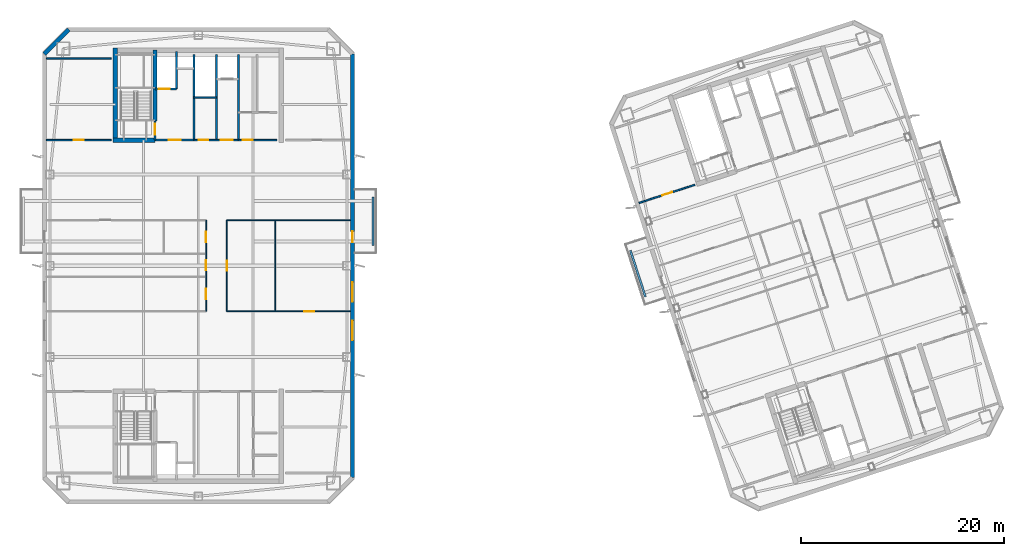
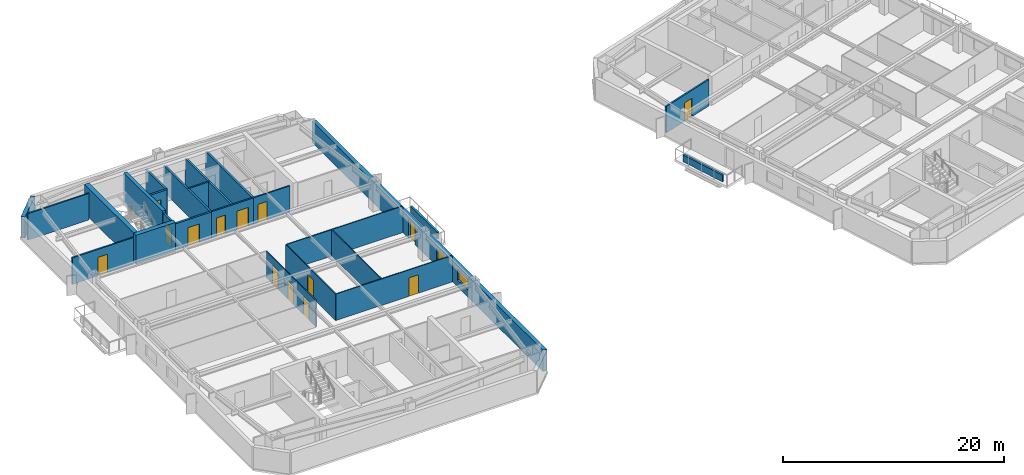
# One storey, part 6 of 17: 25 walls, 14 doors, 2 windows, 16 openings.
"""IFC4 building model written with IfcOpenShell, lengths in metres."""

from ifc_helpers import new_model, si_unit, direction, frame, frame_2d, origin, place, context, subcontext, project, spatial, rectangle, extrude, material, layer, layer_set, type_object, element, fill, save


model = new_model("IFC4")

# Units and contexts
model_context = context("Model", 3, precision=1e-05, world=origin(), true_north=direction((0.0, 1.0)))
body_context = subcontext(model_context, "Body", "Model", "MODEL_VIEW")
ifc_project = project(units=[si_unit("LENGTHUNIT", "METRE"), si_unit("AREAUNIT", "SQUARE_METRE"), si_unit("VOLUMEUNIT", "CUBIC_METRE"), si_unit("PLANEANGLEUNIT", "RADIAN"), si_unit("MASSUNIT", "GRAM", prefix="KILO")], contexts=[model_context])

# Site, building, storey
site_placement = place(None, origin())
site = spatial("IfcSite", under=ifc_project, at=site_placement, CompositionType="ELEMENT")
building_placement = place(site_placement, origin())
building = spatial("IfcBuilding", under=site, at=building_placement, Name="Qiaolan Cultural Towers", CompositionType="ELEMENT")
storey_placement = place(building_placement, frame((0.0, 0.0, 247.199951171875)))
storey = spatial("IfcBuildingStorey", under=building, at=storey_placement, Name="L67", CompositionType="ELEMENT", Elevation=247.199951171875)

# Walls
ifc_material_1 = material(Name="Concrete C50", Category="concrete")
ifc_layer_1 = layer(ifc_material_1, 0.35009765625)
ifc_layer_set_1 = layer_set([ifc_layer_1], Name="Concrete C50")
wall_type_1 = type_object("IfcWallType", Name="WL-CORE-350", PredefinedType="SHEAR", material=ifc_layer_set_1)
wall_1_placement = place(storey_placement, frame((25.719970703125, 48.300048828125, 0.0), z_axis=(0.0, 0.0, 1.0), x_axis=(0.0, 1.0, 0.0)))
element("IfcWall", 1, at=wall_1_placement, inside=storey, type_object=wall_type_1, Name="L67 T1-CN Stair Core Dividing Web", PredefinedType="SHEAR", context=body_context, shape_type="SweptSolid", body=[
    extrude(rectangle(XDim=6.97998046875, YDim=0.35009765625, at=frame_2d((3.489990234375, 0.0))), origin(), (0.0, 0.0, 1.0), 3.199951171875),
])
ifc_material_2 = material(Name="Concrete C50", Category="concrete")
ifc_layer_2 = layer(ifc_material_2, 0.449951171875)
ifc_layer_set_2 = layer_set([ifc_layer_2], Name="Concrete C50")
wall_type_2 = type_object("IfcWallType", Name="WL-CORE-450", PredefinedType="SHEAR", material=ifc_layer_set_2)
wall_2_placement = place(storey_placement, frame((21.800048828125, 46.175048828125, 0.0), z_axis=(0.0, 0.0, 1.0), x_axis=(0.0, 1.0, 0.0)))
element("IfcWall", 2, at=wall_2_placement, inside=storey, type_object=wall_type_2, Name="L67 T1-CN West Core Shear Wall", PredefinedType="SHEAR", context=body_context, shape_type="SweptSolid", body=[
    extrude(rectangle(XDim=9.329833984375, YDim=0.449951171875, at=frame_2d((4.6650390625, 0.0))), origin(), (0.0, 0.0, 1.0), 3.199951171875),
])
wall_3_placement = place(storey_placement, frame((21.574951171875, 46.39990234375, 0.0), z_axis=(0.0, 0.0, 1.0), x_axis=(1.0, 0.0, 0.0)))
element("IfcWall", 3, at=wall_3_placement, inside=storey, type_object=wall_type_2, Name="L67 T1-CN Stair Front Shear Wall", PredefinedType="SHEAR", context=body_context, shape_type="SweptSolid", body=[
    extrude(rectangle(XDim=4.14501953125, YDim=0.449951171875, at=frame_2d((2.072509765625, 0.0))), origin(), (0.0, 0.0, 1.0), 3.199951171875),
])
ifc_material_3 = material(Name="Precast Concrete C50 Honed Stone Pier", Category="masonry")
ifc_layer_3 = layer(ifc_material_3, 0.39990234375)
ifc_layer_set_3 = layer_set([ifc_layer_3], Name="Precast Concrete C50 Honed Stone Pier")
wall_type_3 = type_object("IfcWallType", Name="WL-EXT-PIER-400", PredefinedType="SOLIDWALL", material=ifc_layer_set_3)
wall_4_placement = place(storey_placement, frame((14.800048828125, 54.89990234375, 0.0), z_axis=(0.0, 0.0, 1.0), x_axis=(0.707070815327, 0.707142745217, 0.0)))
element("IfcWall", 4, at=wall_4_placement, inside=storey, type_object=wall_type_3, Name="L67 West Tower Precast Pier Facade Wall F2", PredefinedType="SOLIDWALL", context=body_context, shape_type="SweptSolid", body=[
    extrude(rectangle(XDim=3.39404296875, YDim=0.39990234375, at=frame_2d((1.697021484375, 0.0))), origin(), (0.0, 0.0, 1.0), 2.360107421875),
])

# Wall, openings, door, windows
wall_5_placement = place(storey_placement, frame((45.199951171875, 54.89990234375, 0.0), z_axis=(0.0, 0.0, 1.0), x_axis=(0.0, -1.0, 0.0)))
wall_5 = element("IfcWall", 5, at=wall_5_placement, inside=storey, type_object=wall_type_3, Name="L67 West Tower Precast Pier Facade Wall F5", PredefinedType="SOLIDWALL", context=body_context, shape_type="SweptSolid", body=[
    extrude(rectangle(XDim=41.7998046875, YDim=0.39990234375, at=frame_2d((20.89990234375, 0.0))), origin(), (0.0, 0.0, 1.0), 2.360107421875),
])
opening_1_placement = place(wall_5_placement, frame((26.324951171875, 0.0, 0.75)))
opening_1 = element("IfcOpeningElement", 6, at=opening_1_placement, cuts=wall_5, Name="Opening W-06", PredefinedType="OPENING", context=body_context, shape_type="SweptSolid", body=[
    extrude(rectangle(XDim=1.949951171875, YDim=1.2099609375, at=frame_2d((0.97509765625, 0.60498046875))), frame((0.0, 0.2099609375, 0.0), z_axis=(0.0, -1.0, 0.0), x_axis=(1.0, 0.0, 0.0)), (0.0, 0.0, 1.0), 0.419921875),
])
opening_2_placement = place(wall_5_placement, frame((22.52490234375, 0.0, 0.75)))
opening_2 = element("IfcOpeningElement", 7, at=opening_2_placement, cuts=wall_5, Name="Opening W-06", PredefinedType="OPENING", context=body_context, shape_type="SweptSolid", body=[
    extrude(rectangle(XDim=1.949951171875, YDim=1.2099609375, at=frame_2d((0.97509765625, 0.60498046875))), frame((0.0, 0.2099609375, 0.0), z_axis=(0.0, -1.0, 0.0), x_axis=(1.0, 0.0, 0.0)), (0.0, 0.0, 1.0), 0.419921875),
])
opening_3_placement = place(wall_5_placement, frame((17.5, 0.0, 0.0)))
opening_3 = element("IfcOpeningElement", 8, at=opening_3_placement, cuts=wall_5, Name="Opening BD-01", PredefinedType="OPENING", context=body_context, shape_type="SweptSolid", body=[
    extrude(rectangle(XDim=1.10009765625, YDim=2.14990234375, at=frame_2d((0.550048828125, 1.074951171875))), frame((0.0, 0.2099609375, 0.0), z_axis=(0.0, -1.0, 0.0), x_axis=(1.0, 0.0, 0.0)), (0.0, 0.0, 1.0), 0.419921875),
])
ifc_material_4 = material(Name="Thermally Broken Aluminium Glazed Terrace Door", Category="aluminium")
door_type_1 = type_object("IfcDoorType", Name="DR-BAL-1100", OperationType="NOTDEFINED", PredefinedType="DOOR", material=ifc_material_4)
door_1_placement = place(opening_3_placement, origin())
door_1 = element("IfcDoor", 9, at=door_1_placement, inside=storey, type_object=door_type_1, Name="L67 T1 East Tree Balcony Door", OperationType="SINGLE_SWING_RIGHT", OverallHeight=2.14990234375, OverallWidth=1.10009765625, PredefinedType="DOOR", context=body_context, shape_type="SweptSolid", body=[
    extrude(rectangle(XDim=1.10009765625, YDim=2.14990234375, at=frame_2d((0.550048828125, 1.074951171875))), frame((0.0, 0.02490234375, 0.0), z_axis=(0.0, -1.0, 0.0), x_axis=(1.0, 0.0, 0.0)), (0.0, 0.0, 1.0), 0.050048828125),
])
fill(opening_3, door_1)
ifc_material_5 = material(Name="Thermally Broken Aluminium Triple Low-E Glazing", Category="aluminium")
window_type = type_object("IfcWindowType", Name="WN-CHIC-1950", PartitioningType="SINGLE_PANEL", PredefinedType="WINDOW", material=ifc_material_5)
window_1_placement = place(opening_1_placement, origin())
window_1 = element("IfcWindow", 10, at=window_1_placement, inside=storey, type_object=window_type, Name="L67 T1 E Chicago Bay Window 1", OverallHeight=1.2099609375, OverallWidth=1.949951171875, PartitioningType="TRIPLE_PANEL_VERTICAL", PredefinedType="WINDOW", context=body_context, shape_type="SweptSolid", body=[
    extrude(rectangle(XDim=1.949951171875, YDim=1.2099609375, at=frame_2d((0.97509765625, 0.60498046875))), frame((0.0, 0.030029296875, 0.0), z_axis=(0.0, -1.0, 0.0), x_axis=(1.0, 0.0, 0.0)), (0.0, 0.0, 1.0), 0.06005859375),
])
fill(opening_1, window_1)
window_2_placement = place(opening_2_placement, origin())
window_2 = element("IfcWindow", 11, at=window_2_placement, inside=storey, type_object=window_type, Name="L67 T1 E Chicago Bay Window 2", OverallHeight=1.2099609375, OverallWidth=1.949951171875, PartitioningType="TRIPLE_PANEL_VERTICAL", PredefinedType="WINDOW", context=body_context, shape_type="SweptSolid", body=[
    extrude(rectangle(XDim=1.949951171875, YDim=1.2099609375, at=frame_2d((0.97509765625, 0.60498046875))), frame((0.0, 0.030029296875, 0.0), z_axis=(0.0, -1.0, 0.0), x_axis=(1.0, 0.0, 0.0)), (0.0, 0.0, 1.0), 0.06005859375),
])
fill(opening_2, window_2)

# Wall, opening, door
ifc_material_6 = material(Name="Concrete C35 Fire Wall", Category="concrete")
ifc_layer_4 = layer(ifc_material_6, 0.199951171875)
ifc_layer_set_4 = layer_set([ifc_layer_4], Name="Concrete C35 Fire Wall")
wall_type_4 = type_object("IfcWallType", Name="WL-FIRE-200", PredefinedType="PARTITIONING", material=ifc_layer_set_4)
wall_6_placement = place(storey_placement, frame((25.719970703125, 46.39990234375, 0.0), z_axis=(0.0, 0.0, 1.0), x_axis=(0.0, 1.0, 0.0)))
wall_6 = element("IfcWall", 12, at=wall_6_placement, inside=storey, type_object=wall_type_4, Name="L67 T1-CN Smokeproof Stair Entry Wall", PredefinedType="PARTITIONING", context=body_context, shape_type="SweptSolid", body=[
    extrude(rectangle(XDim=1.900146484375, YDim=0.199951171875, at=frame_2d((0.9501953125, 0.0))), origin(), (0.0, 0.0, 1.0), 2.925048828125),
])
opening_4_placement = place(wall_6_placement, frame((0.52001953125, 0.0, 0.0)))
opening_4 = element("IfcOpeningElement", 13, at=opening_4_placement, cuts=wall_6, Name="Opening FD-04", PredefinedType="OPENING", context=body_context, shape_type="SweptSolid", body=[
    extrude(rectangle(XDim=1.10009765625, YDim=2.050048828125, at=frame_2d((0.550048828125, 1.02490234375))), frame((0.0, 0.10986328125, 0.0), z_axis=(0.0, -1.0, 0.0), x_axis=(1.0, 0.0, 0.0)), (0.0, 0.0, 1.0), 0.219970703125),
])
ifc_material_7 = material(Name="Galvanized Steel Command Fire Door", Category="steel")
door_type_2 = type_object("IfcDoorType", Name="DR-FD90-1100", OperationType="NOTDEFINED", PredefinedType="DOOR", material=ifc_material_7)
door_2_placement = place(opening_4_placement, origin())
door_2 = element("IfcDoor", 14, at=door_2_placement, inside=storey, type_object=door_type_2, Name="L67 ST-W2 Smokeproof Stair Fire Door", OperationType="SINGLE_SWING_LEFT", OverallHeight=2.050048828125, OverallWidth=1.10009765625, PredefinedType="DOOR", context=body_context, shape_type="SweptSolid", body=[
    extrude(rectangle(XDim=1.10009765625, YDim=2.050048828125, at=frame_2d((0.550048828125, 1.02490234375))), frame((0.0, 0.02490234375, 0.0), z_axis=(0.0, -1.0, 0.0), x_axis=(1.0, 0.0, 0.0)), (0.0, 0.0, 1.0), 0.050048828125),
])
fill(opening_4, door_2)

# Wall
wall_7_placement = place(storey_placement, frame((29.550048828125, 46.39990234375, 0.0), z_axis=(0.0, 0.0, 1.0), x_axis=(0.0, 1.0, 0.0)))
element("IfcWall", 15, at=wall_7_placement, inside=storey, type_object=wall_type_4, Name="L67 T1-CN Firefighting Zone Wall", PredefinedType="PARTITIONING", context=body_context, shape_type="SweptSolid", body=[
    extrude(rectangle(XDim=8.43017578125, YDim=0.199951171875, at=frame_2d((4.215087890625, 0.0))), origin(), (0.0, 0.0, 1.0), 2.925048828125),
])

# Wall, opening, door
wall_8_placement = place(storey_placement, frame((25.719970703125, 46.39990234375, 0.0), z_axis=(0.0, 0.0, 1.0), x_axis=(1.0, 0.0, 0.0)))
wall_8 = element("IfcWall", 16, at=wall_8_placement, inside=storey, type_object=wall_type_4, Name="L67 T1-CN Firefighting Lobby Front Wall", PredefinedType="PARTITIONING", context=body_context, shape_type="SweptSolid", body=[
    extrude(rectangle(XDim=3.830078125, YDim=0.199951171875, at=frame_2d((1.9150390625, 0.0))), origin(), (0.0, 0.0, 1.0), 2.925048828125),
])
opening_5_placement = place(wall_8_placement, frame((1.35009765625, 0.0, 0.0)))
opening_5 = element("IfcOpeningElement", 17, at=opening_5_placement, cuts=wall_8, Name="Opening FD-03", PredefinedType="OPENING", context=body_context, shape_type="SweptSolid", body=[
    extrude(rectangle(XDim=1.199951171875, YDim=2.050048828125, at=frame_2d((0.60009765625, 1.02490234375))), frame((0.0, 0.10986328125, 0.0), z_axis=(0.0, -1.0, 0.0), x_axis=(1.0, 0.0, 0.0)), (0.0, 0.0, 1.0), 0.219970703125),
])
ifc_material_8 = material(Name="Galvanized Steel Smokeproof Lobby Fire Door", Category="steel")
door_type_3 = type_object("IfcDoorType", Name="DR-FD90-1200", OperationType="NOTDEFINED", PredefinedType="DOOR", material=ifc_material_8)
door_3_placement = place(opening_5_placement, origin())
door_3 = element("IfcDoor", 18, at=door_3_placement, inside=storey, type_object=door_type_3, Name="L67 FFL-W2 Firefighting Lobby Fire Door", OperationType="SINGLE_SWING_LEFT", OverallHeight=2.050048828125, OverallWidth=1.199951171875, PredefinedType="DOOR", context=body_context, shape_type="SweptSolid", body=[
    extrude(rectangle(XDim=1.199951171875, YDim=2.050048828125, at=frame_2d((0.60009765625, 1.02490234375))), frame((0.0, 0.02490234375, 0.0), z_axis=(0.0, -1.0, 0.0), x_axis=(1.0, 0.0, 0.0)), (0.0, 0.0, 1.0), 0.050048828125),
])
fill(opening_5, door_3)

wall_9_placement = place(storey_placement, frame((25.719970703125, 51.449951171875, 0.0), z_axis=(0.0, 0.0, 1.0), x_axis=(1.0, 0.0, 0.0)))
wall_9 = element("IfcWall", 19, at=wall_9_placement, inside=storey, type_object=wall_type_4, Name="L67 T1-CN Firefighting Shaft Front Wall", PredefinedType="PARTITIONING", context=body_context, shape_type="SweptSolid", body=[
    extrude(rectangle(XDim=2.10009765625, YDim=0.199951171875, at=frame_2d((1.050048828125, 0.0))), origin(), (0.0, 0.0, 1.0), 2.925048828125),
])
opening_6_placement = place(wall_9_placement, frame((0.35009765625, 0.0, 0.0)))
opening_6 = element("IfcOpeningElement", 20, at=opening_6_placement, cuts=wall_9, Name="Opening LD-01", PredefinedType="OPENING", context=body_context, shape_type="SweptSolid", body=[
    extrude(rectangle(XDim=1.10009765625, YDim=2.050048828125, at=frame_2d((0.550048828125, 1.02490234375))), frame((0.0, 0.10986328125, 0.0), z_axis=(0.0, -1.0, 0.0), x_axis=(1.0, 0.0, 0.0)), (0.0, 0.0, 1.0), 0.219970703125),
])
ifc_material_9 = material(Name="Brushed Stainless Steel S30408 Centre-Parting Lift Landing Door", Category="steel")
door_type_4 = type_object("IfcDoorType", Name="DR-LIFT-1100", OperationType="NOTDEFINED", PredefinedType="DOOR", material=ifc_material_9)
door_4_placement = place(opening_6_placement, origin())
door_4 = element("IfcDoor", 21, at=door_4_placement, inside=storey, type_object=door_type_4, Name="L67 FFL-W2 Firefighting Lift Landing Door", OperationType="DOUBLE_DOOR_SLIDING", OverallHeight=2.050048828125, OverallWidth=1.10009765625, PredefinedType="DOOR", context=body_context, shape_type="SweptSolid", body=[
    extrude(rectangle(XDim=1.10009765625, YDim=2.050048828125, at=frame_2d((0.550048828125, 1.02490234375))), frame((0.0, 0.02490234375, 0.0), z_axis=(0.0, -1.0, 0.0), x_axis=(1.0, 0.0, 0.0)), (0.0, 0.0, 1.0), 0.050048828125),
])
fill(opening_6, door_4)

# Walls
wall_10_placement = place(storey_placement, frame((27.820068359375, 51.449951171875, 0.0), z_axis=(0.0, 0.0, 1.0), x_axis=(0.0, 1.0, 0.0)))
element("IfcWall", 22, at=wall_10_placement, inside=storey, type_object=wall_type_4, Name="L67 T1-CN Firefighting Hoistway East Wall", PredefinedType="PARTITIONING", context=body_context, shape_type="SweptSolid", body=[
    extrude(rectangle(XDim=3.699951171875, YDim=0.199951171875, at=frame_2d((1.85009765625, 0.0))), origin(), (0.0, 0.0, 1.0), 2.925048828125),
])
for number, where, z_axis, x_axis, name in (
    (23, (33.949951171875, 46.39990234375, 0.0), (0.0, 0.0, 1.0), (0.0, 1.0, 0.0), "L67 T1-CN Lift Core East Wall"),
    (24, (31.780029296875, 46.39990234375, 0.0), (0.0, 0.0, 1.0), (0.0, 1.0, 0.0), "L67 T1-CN Sky Shuttle Lift Zone Wall"),
):
    element("IfcWall", number, at=place(storey_placement, frame(where, z_axis=z_axis, x_axis=x_axis)), inside=storey, type_object=wall_type_4, Name=name, PredefinedType="PARTITIONING", context=body_context, shape_type="SweptSolid", body=[
        extrude(rectangle(XDim=8.43017578125, YDim=0.199951171875, at=frame_2d((4.215087890625, 0.0))), origin(), (0.0, 0.0, 1.0), 2.925048828125),
    ])

# Wall, opening, door
ifc_material_10 = material(Name="Acoustic Double-Glazed Partition Frame", Category="glass")
ifc_layer_5 = layer(ifc_material_10, 0.10009765625)
ifc_layer_set_5 = layer_set([ifc_layer_5], Name="Acoustic Double-Glazed Partition Frame")
wall_type_5 = type_object("IfcWallType", Name="WL-GLAZED-100", PredefinedType="MOVABLE", material=ifc_layer_set_5)
wall_11_placement = place(storey_placement, frame((32.824951171875, 29.5, 0.0), z_axis=(0.0, 0.0, 1.0), x_axis=(1.0, 0.0, 0.0)))
wall_11 = element("IfcWall", 25, at=wall_11_placement, inside=storey, type_object=wall_type_5, Name="L67 T1 South Foyer East Wall", PredefinedType="MOVABLE", context=body_context, shape_type="SweptSolid", body=[
    extrude(rectangle(XDim=12.175048828125, YDim=0.10009765625, at=frame_2d((6.08740234375, 0.0))), origin(), (0.0, 0.0, 1.0), 2.925048828125),
])
opening_7_placement = place(wall_11_placement, frame((7.60498046875, 0.0, 0.0)))
opening_7 = element("IfcOpeningElement", 26, at=opening_7_placement, cuts=wall_11, Name="Opening ID-04", PredefinedType="OPENING", context=body_context, shape_type="SweptSolid", body=[
    extrude(rectangle(XDim=1.0, YDim=2.050048828125, at=frame_2d((0.5, 1.02490234375))), frame((0.0, 0.06005859375, 0.0), z_axis=(0.0, -1.0, 0.0), x_axis=(1.0, 0.0, 0.0)), (0.0, 0.0, 1.0), 0.1201171875),
])
ifc_material_11 = material(Name="Oak Veneer Acoustic Office Door", Category="timber")
door_type_5 = type_object("IfcDoorType", Name="DR-INT-1000", OperationType="NOTDEFINED", PredefinedType="DOOR", material=ifc_material_11)
door_5_placement = place(opening_7_placement, origin())
door_5 = element("IfcDoor", 27, at=door_5_placement, inside=storey, type_object=door_type_5, Name="L67 T1 Sky Club Lounge Door", OperationType="SINGLE_SWING_RIGHT", OverallHeight=2.050048828125, OverallWidth=1.0, PredefinedType="DOOR", context=body_context, shape_type="SweptSolid", body=[
    extrude(rectangle(XDim=1.0, YDim=2.050048828125, at=frame_2d((0.5, 1.02490234375))), frame((0.0, 0.02490234375, 0.0), z_axis=(0.0, -1.0, 0.0), x_axis=(1.0, 0.0, 0.0)), (0.0, 0.0, 1.0), 0.050048828125),
])
fill(opening_7, door_5)

# Wall
wall_12_placement = place(storey_placement, frame((32.824951171875, 38.5, 0.0), z_axis=(0.0, 0.0, 1.0), x_axis=(1.0, 0.0, 0.0)))
element("IfcWall", 28, at=wall_12_placement, inside=storey, type_object=wall_type_5, Name="L67 T1 North Foyer East Wall", PredefinedType="MOVABLE", context=body_context, shape_type="SweptSolid", body=[
    extrude(rectangle(XDim=12.175048828125, YDim=0.10009765625, at=frame_2d((6.08740234375, 0.0))), origin(), (0.0, 0.0, 1.0), 2.925048828125),
])

# Wall, openings, doors
wall_13_placement = place(storey_placement, frame((30.77490234375, 29.5, 0.0), z_axis=(0.0, 0.0, 1.0), x_axis=(0.0, 1.0, 0.0)))
wall_13 = element("IfcWall", 29, at=wall_13_placement, inside=storey, type_object=wall_type_5, Name="L67 T1 Central Spine West Wall", PredefinedType="MOVABLE", context=body_context, shape_type="SweptSolid", body=[
    extrude(rectangle(XDim=9.0, YDim=0.10009765625, at=frame_2d((4.5, 0.0))), origin(), (0.0, 0.0, 1.0), 2.925048828125),
])
opening_8_placement = place(wall_13_placement, frame((1.199951171875, 0.0, 0.0)))
opening_8 = element("IfcOpeningElement", 30, at=opening_8_placement, cuts=wall_13, Name="Opening ID-07", PredefinedType="OPENING", context=body_context, shape_type="SweptSolid", body=[
    extrude(rectangle(XDim=1.050048828125, YDim=2.050048828125, at=frame_2d((0.52490234375, 1.02490234375))), frame((0.0, 0.06005859375, 0.0), z_axis=(0.0, -1.0, 0.0), x_axis=(1.0, 0.0, 0.0)), (0.0, 0.0, 1.0), 0.1201171875),
])
opening_9_placement = place(wall_13_placement, frame((4.034912109375, 0.0, 0.0)))
opening_9 = element("IfcOpeningElement", 31, at=opening_9_placement, cuts=wall_13, Name="Opening ID-04", PredefinedType="OPENING", context=body_context, shape_type="SweptSolid", body=[
    extrude(rectangle(XDim=1.0, YDim=2.050048828125, at=frame_2d((0.5, 1.02490234375))), frame((0.0, 0.06005859375, 0.0), z_axis=(0.0, -1.0, 0.0), x_axis=(1.0, 0.0, 0.0)), (0.0, 0.0, 1.0), 0.1201171875),
])
opening_10_placement = place(wall_13_placement, frame((6.8349609375, 0.0, 0.0)))
opening_10 = element("IfcOpeningElement", 32, at=opening_10_placement, cuts=wall_13, Name="Opening ID-04", PredefinedType="OPENING", context=body_context, shape_type="SweptSolid", body=[
    extrude(rectangle(XDim=1.0, YDim=2.050048828125, at=frame_2d((0.5, 1.02490234375))), frame((0.0, 0.06005859375, 0.0), z_axis=(0.0, -1.0, 0.0), x_axis=(1.0, 0.0, 0.0)), (0.0, 0.0, 1.0), 0.1201171875),
])
door_6_placement = place(opening_9_placement, origin())
door_6 = element("IfcDoor", 33, at=door_6_placement, inside=storey, type_object=door_type_5, Name="L67 T1 Collectors Art Gallery Door", OperationType="SINGLE_SWING_RIGHT", OverallHeight=2.050048828125, OverallWidth=1.0, PredefinedType="DOOR", context=body_context, shape_type="SweptSolid", body=[
    extrude(rectangle(XDim=1.0, YDim=2.050048828125, at=frame_2d((0.5, 1.02490234375))), frame((0.0, 0.02490234375, 0.0), z_axis=(0.0, -1.0, 0.0), x_axis=(1.0, 0.0, 0.0)), (0.0, 0.0, 1.0), 0.050048828125),
])
fill(opening_9, door_6)
door_7_placement = place(opening_10_placement, origin())
door_7 = element("IfcDoor", 34, at=door_7_placement, inside=storey, type_object=door_type_5, Name="L67 T1 Curatorial Room Door", OperationType="SINGLE_SWING_RIGHT", OverallHeight=2.050048828125, OverallWidth=1.0, PredefinedType="DOOR", context=body_context, shape_type="SweptSolid", body=[
    extrude(rectangle(XDim=1.0, YDim=2.050048828125, at=frame_2d((0.5, 1.02490234375))), frame((0.0, 0.02490234375, 0.0), z_axis=(0.0, -1.0, 0.0), x_axis=(1.0, 0.0, 0.0)), (0.0, 0.0, 1.0), 0.050048828125),
])
fill(opening_10, door_7)
ifc_material_12 = material(Name="Oak Veneer Consultation Door", Category="timber")
door_type_6 = type_object("IfcDoorType", Name="DR-INT-1050", OperationType="NOTDEFINED", PredefinedType="DOOR", material=ifc_material_12)
door_8_placement = place(opening_8_placement, origin())
door_8 = element("IfcDoor", 35, at=door_8_placement, inside=storey, type_object=door_type_6, Name="L67 T1 Collectors Art Gallery Door", OperationType="SINGLE_SWING_LEFT", OverallHeight=2.050048828125, OverallWidth=1.050048828125, PredefinedType="DOOR", context=body_context, shape_type="SweptSolid", body=[
    extrude(rectangle(XDim=1.050048828125, YDim=2.050048828125, at=frame_2d((0.52490234375, 1.02490234375))), frame((0.0, 0.02490234375, 0.0), z_axis=(0.0, -1.0, 0.0), x_axis=(1.0, 0.0, 0.0)), (0.0, 0.0, 1.0), 0.050048828125),
])
fill(opening_8, door_8)

# Wall, opening, door
wall_14_placement = place(storey_placement, frame((32.824951171875, 29.5, 0.0), z_axis=(0.0, 0.0, 1.0), x_axis=(0.0, 1.0, 0.0)))
wall_14 = element("IfcWall", 36, at=wall_14_placement, inside=storey, type_object=wall_type_5, Name="L67 T1 Central Spine East Wall", PredefinedType="MOVABLE", context=body_context, shape_type="SweptSolid", body=[
    extrude(rectangle(XDim=9.0, YDim=0.10009765625, at=frame_2d((4.5, 0.0))), origin(), (0.0, 0.0, 1.0), 2.925048828125),
])
opening_11_placement = place(wall_14_placement, frame((4.0, 0.0, 0.0)))
opening_11 = element("IfcOpeningElement", 37, at=opening_11_placement, cuts=wall_14, Name="Opening ID-04", PredefinedType="OPENING", context=body_context, shape_type="SweptSolid", body=[
    extrude(rectangle(XDim=1.0, YDim=2.050048828125, at=frame_2d((0.5, 1.02490234375))), frame((0.0, 0.06005859375, 0.0), z_axis=(0.0, -1.0, 0.0), x_axis=(1.0, 0.0, 0.0)), (0.0, 0.0, 1.0), 0.1201171875),
])
door_9_placement = place(opening_11_placement, origin())
door_9 = element("IfcDoor", 38, at=door_9_placement, inside=storey, type_object=door_type_5, Name="L67 T1 Sky Dining Kitchen Door", OperationType="SINGLE_SWING_LEFT", OverallHeight=2.050048828125, OverallWidth=1.0, PredefinedType="DOOR", context=body_context, shape_type="SweptSolid", body=[
    extrude(rectangle(XDim=1.0, YDim=2.050048828125, at=frame_2d((0.5, 1.02490234375))), frame((0.0, 0.02490234375, 0.0), z_axis=(0.0, -1.0, 0.0), x_axis=(1.0, 0.0, 0.0)), (0.0, 0.0, 1.0), 0.050048828125),
])
fill(opening_11, door_9)

# Wall
wall_15_placement = place(storey_placement, frame((37.60009765625, 29.5, 0.0), z_axis=(0.0, 0.0, 1.0), x_axis=(0.0, 1.0, 0.0)))
element("IfcWall", 39, at=wall_15_placement, inside=storey, type_object=wall_type_5, Name="L67 T1 Interior Wall", PredefinedType="MOVABLE", context=body_context, shape_type="SweptSolid", body=[
    extrude(rectangle(XDim=9.0, YDim=0.10009765625, at=frame_2d((4.5, 0.0))), origin(), (0.0, 0.0, 1.0), 2.925048828125),
])

# Wall, openings, doors
ifc_material_13 = material(Name="Autoclaved Aerated Concrete Block B06", Category="concrete")
ifc_layer_6 = layer(ifc_material_13, 0.14990234375)
ifc_layer_set_6 = layer_set([ifc_layer_6], Name="Autoclaved Aerated Concrete Block B06")
wall_type_6 = type_object("IfcWallType", Name="WL-PART-150", PredefinedType="PARTITIONING", material=ifc_layer_set_6)
wall_16_placement = place(storey_placement, frame((29.550048828125, 46.39990234375, 0.0), z_axis=(0.0, 0.0, 1.0), x_axis=(1.0, 0.0, 0.0)))
wall_16 = element("IfcWall", 40, at=wall_16_placement, inside=storey, type_object=wall_type_6, Name="L67 T1-CN High-Zone Lift Lobby Wall", PredefinedType="PARTITIONING", context=body_context, shape_type="SweptSolid", body=[
    extrude(rectangle(XDim=4.39990234375, YDim=0.14990234375, at=frame_2d((2.199951171875, 0.0))), origin(), (0.0, 0.0, 1.0), 2.925048828125),
])
opening_12_placement = place(wall_16_placement, frame((0.5, 0.0, 0.0)))
opening_12 = element("IfcOpeningElement", 41, at=opening_12_placement, cuts=wall_16, Name="Opening ID-05", PredefinedType="OPENING", context=body_context, shape_type="SweptSolid", body=[
    extrude(rectangle(XDim=0.949951171875, YDim=2.050048828125, at=frame_2d((0.47509765625, 1.02490234375))), frame((0.0, 0.0849609375, 0.0), z_axis=(0.0, -1.0, 0.0), x_axis=(1.0, 0.0, 0.0)), (0.0, 0.0, 1.0), 0.169921875),
])
opening_13_placement = place(wall_16_placement, frame((2.64990234375, 0.0, 0.0)))
opening_13 = element("IfcOpeningElement", 42, at=opening_13_placement, cuts=wall_16, Name="Opening FD-06", PredefinedType="OPENING", context=body_context, shape_type="SweptSolid", body=[
    extrude(rectangle(XDim=1.199951171875, YDim=2.050048828125, at=frame_2d((0.60009765625, 1.02490234375))), frame((0.0, 0.0849609375, 0.0), z_axis=(0.0, -1.0, 0.0), x_axis=(1.0, 0.0, 0.0)), (0.0, 0.0, 1.0), 0.169921875),
])
ifc_material_14 = material(Name="Painted Steel Plant Fire Door", Category="steel")
door_type_7 = type_object("IfcDoorType", Name="DR-FD60-1200", OperationType="NOTDEFINED", PredefinedType="DOOR", material=ifc_material_14)
door_10_placement = place(opening_13_placement, origin())
door_10 = element("IfcDoor", 43, at=door_10_placement, inside=storey, type_object=door_type_7, Name="L67 Sky Shuttle Lift Lobby Door", OperationType="SINGLE_SWING_RIGHT", OverallHeight=2.050048828125, OverallWidth=1.199951171875, PredefinedType="DOOR", context=body_context, shape_type="SweptSolid", body=[
    extrude(rectangle(XDim=1.199951171875, YDim=2.050048828125, at=frame_2d((0.60009765625, 1.02490234375))), frame((0.0, 0.02490234375, 0.0), z_axis=(0.0, -1.0, 0.0), x_axis=(1.0, 0.0, 0.0)), (0.0, 0.0, 1.0), 0.050048828125),
])
fill(opening_13, door_10)
ifc_material_15 = material(Name="Fire-Rated Laminate Accessible Core Door", Category="timber")
door_type_8 = type_object("IfcDoorType", Name="DR-INT-950", OperationType="NOTDEFINED", PredefinedType="DOOR", material=ifc_material_15)
door_11_placement = place(opening_12_placement, origin())
door_11 = element("IfcDoor", 44, at=door_11_placement, inside=storey, type_object=door_type_8, Name="L67 Reclaimed Server Room Door", OperationType="SINGLE_SWING_LEFT", OverallHeight=2.050048828125, OverallWidth=0.949951171875, PredefinedType="DOOR", context=body_context, shape_type="SweptSolid", body=[
    extrude(rectangle(XDim=0.949951171875, YDim=2.050048828125, at=frame_2d((0.47509765625, 1.02490234375))), frame((0.0, 0.02490234375, 0.0), z_axis=(0.0, -1.0, 0.0), x_axis=(1.0, 0.0, 0.0)), (0.0, 0.0, 1.0), 0.050048828125),
])
fill(opening_12, door_11)

# Wall
wall_17_placement = place(storey_placement, frame((29.550048828125, 50.60009765625, 0.0), z_axis=(0.0, 0.0, 1.0), x_axis=(1.0, 0.0, 0.0)))
element("IfcWall", 45, at=wall_17_placement, inside=storey, type_object=wall_type_6, Name="L67 T1-CN High-Zone Reclaimed Split", PredefinedType="PARTITIONING", context=body_context, shape_type="SweptSolid", body=[
    extrude(rectangle(XDim=2.22998046875, YDim=0.14990234375, at=frame_2d((1.114990234375, 0.0))), origin(), (0.0, 0.0, 1.0), 2.925048828125),
])

# Wall, opening, door
wall_18_placement = place(storey_placement, frame((33.949951171875, 46.39990234375, 0.0), z_axis=(0.0, 0.0, 1.0), x_axis=(1.0, 0.0, 0.0)))
wall_18 = element("IfcWall", 46, at=wall_18_placement, inside=storey, type_object=wall_type_6, Name="L67 T1-CN Sanitary Core Front Wall", PredefinedType="PARTITIONING", context=body_context, shape_type="SweptSolid", body=[
    extrude(rectangle(XDim=3.800048828125, YDim=0.14990234375, at=frame_2d((1.89990234375, 0.0))), origin(), (0.0, 0.0, 1.0), 2.925048828125),
])
opening_14_placement = place(wall_18_placement, frame((0.449951171875, 0.0, 0.0)))
opening_14 = element("IfcOpeningElement", 47, at=opening_14_placement, cuts=wall_18, Name="Opening ID-05", PredefinedType="OPENING", context=body_context, shape_type="SweptSolid", body=[
    extrude(rectangle(XDim=0.949951171875, YDim=2.050048828125, at=frame_2d((0.47509765625, 1.02490234375))), frame((0.0, 0.0849609375, 0.0), z_axis=(0.0, -1.0, 0.0), x_axis=(1.0, 0.0, 0.0)), (0.0, 0.0, 1.0), 0.169921875),
])
door_12_placement = place(opening_14_placement, origin())
door_12 = element("IfcDoor", 48, at=door_12_placement, inside=storey, type_object=door_type_8, Name="L67 Sanitary Vestibule Door", OperationType="SINGLE_SWING_LEFT", OverallHeight=2.050048828125, OverallWidth=0.949951171875, PredefinedType="DOOR", context=body_context, shape_type="SweptSolid", body=[
    extrude(rectangle(XDim=0.949951171875, YDim=2.050048828125, at=frame_2d((0.47509765625, 1.02490234375))), frame((0.0, 0.02490234375, 0.0), z_axis=(0.0, -1.0, 0.0), x_axis=(1.0, 0.0, 0.0)), (0.0, 0.0, 1.0), 0.050048828125),
])
fill(opening_14, door_12)

# Wall
wall_19_placement = place(storey_placement, frame((15.0, 54.449951171875, 0.0), z_axis=(0.0, 0.0, 1.0), x_axis=(1.0, 0.0, 0.0)))
element("IfcWall", 49, at=wall_19_placement, inside=storey, type_object=wall_type_6, Name="L67 T1 Flank Wall FLK-NW", PredefinedType="PARTITIONING", context=body_context, shape_type="SweptSolid", body=[
    extrude(rectangle(XDim=6.39990234375, YDim=0.14990234375, at=frame_2d((3.199951171875, 0.0))), origin(), (0.0, 0.0, 1.0), 2.925048828125),
])

# Wall, opening, door
wall_20_placement = place(storey_placement, frame((15.0, 46.39990234375, 0.0), z_axis=(0.0, 0.0, 1.0), x_axis=(1.0, 0.0, 0.0)))
wall_20 = element("IfcWall", 50, at=wall_20_placement, inside=storey, type_object=wall_type_6, Name="L67 T1 Flank Front FLK-NW", PredefinedType="PARTITIONING", context=body_context, shape_type="SweptSolid", body=[
    extrude(rectangle(XDim=6.39990234375, YDim=0.14990234375, at=frame_2d((3.199951171875, 0.0))), origin(), (0.0, 0.0, 1.0), 2.925048828125),
])
opening_15_placement = place(wall_20_placement, frame((2.68798828125, 0.0, 0.0)))
opening_15 = element("IfcOpeningElement", 51, at=opening_15_placement, cuts=wall_20, Name="Opening ID-04", PredefinedType="OPENING", context=body_context, shape_type="SweptSolid", body=[
    extrude(rectangle(XDim=1.0, YDim=2.050048828125, at=frame_2d((0.5, 1.02490234375))), frame((0.0, 0.0849609375, 0.0), z_axis=(0.0, -1.0, 0.0), x_axis=(1.0, 0.0, 0.0)), (0.0, 0.0, 1.0), 0.169921875),
])
door_13_placement = place(opening_15_placement, origin())
door_13 = element("IfcDoor", 52, at=door_13_placement, inside=storey, type_object=door_type_5, Name="L67 T1 Corner Studio Door", OperationType="SINGLE_SWING_LEFT", OverallHeight=2.050048828125, OverallWidth=1.0, PredefinedType="DOOR", context=body_context, shape_type="SweptSolid", body=[
    extrude(rectangle(XDim=1.0, YDim=2.050048828125, at=frame_2d((0.5, 1.02490234375))), frame((0.0, 0.02490234375, 0.0), z_axis=(0.0, -1.0, 0.0), x_axis=(1.0, 0.0, 0.0)), (0.0, 0.0, 1.0), 0.050048828125),
])
fill(opening_15, door_13)

wall_21_placement = place(storey_placement, frame((73.476318359375, 40.197265625, 0.0), z_axis=(0.0, 0.0, 1.0), x_axis=(0.951059431056, 0.309008023519, 0.0)))
wall_21 = element("IfcWall", 53, at=wall_21_placement, inside=storey, type_object=wall_type_6, Name="L67 T2 Flank Front FLK-NW", PredefinedType="PARTITIONING", context=body_context, shape_type="SweptSolid", body=[
    extrude(rectangle(XDim=5.800048828125, YDim=0.14990234375, at=frame_2d((2.89990234375, 0.0))), origin(), (0.0, 0.0, 1.0), 2.925048828125),
])
opening_16_placement = place(wall_21_placement, frame((2.43603515625, 0.0, 0.0)))
opening_16 = element("IfcOpeningElement", 54, at=opening_16_placement, cuts=wall_21, Name="Opening ID-04", PredefinedType="OPENING", context=body_context, shape_type="SweptSolid", body=[
    extrude(rectangle(XDim=1.0, YDim=2.050048828125, at=frame_2d((0.5, 1.02490234375))), frame((0.0, 0.0849609375, 0.0), z_axis=(0.0, -1.0, 0.0), x_axis=(1.0, 0.0, 0.0)), (0.0, 0.0, 1.0), 0.169921875),
])
door_14_placement = place(opening_16_placement, origin())
door_14 = element("IfcDoor", 55, at=door_14_placement, inside=storey, type_object=door_type_5, Name="L67 T2 Corner Studio Door", OperationType="SINGLE_SWING_LEFT", OverallHeight=2.050048828125, OverallWidth=1.0, PredefinedType="DOOR", context=body_context, shape_type="SweptSolid", body=[
    extrude(rectangle(XDim=1.0, YDim=2.050048828125, at=frame_2d((0.5, 1.02490234375))), frame((0.0, 0.02490234375, 0.0), z_axis=(0.0, -1.0, 0.0), x_axis=(1.0, 0.0, 0.0)), (0.0, 0.0, 1.0), 0.050048828125),
])
fill(opening_16, door_14)

# Walls
ifc_material_16 = material(Name="Precast Concrete C45 Tree Planter Upstand", Category="concrete")
ifc_layer_7 = layer(ifc_material_16, 0.199951171875)
ifc_layer_set_7 = layer_set([ifc_layer_7], Name="Precast Concrete C45 Tree Planter Upstand")
wall_type_7 = type_object("IfcWallType", Name="WL-PLANTER-200", PredefinedType="PARAPET", material=ifc_layer_set_7)
for number, where, z_axis, x_axis, name in (
    (56, (47.25, 36.0, 0.0), (0.0, 0.0, 1.0), (0.0, 1.0, 0.0), "L67 T1 Tree Balcony Soil Planter Box E"),
    (57, (74.117431640625, 30.9423828125, 0.0), (0.0, 0.0, 1.0), (-0.308986014439, 0.951066581729, 0.0), "L67 T2 Tree Balcony Soil Planter Box W"),
):
    element("IfcWall", number, at=place(storey_placement, frame(where, z_axis=z_axis, x_axis=x_axis)), inside=storey, type_object=wall_type_7, Name=name, PredefinedType="PARAPET", context=body_context, shape_type="SweptSolid", body=[
        extrude(rectangle(XDim=4.800048828125, YDim=0.199951171875, at=frame_2d((2.39990234375, 0.0))), origin(), (0.0, 0.0, 1.0), 0.75),
    ])

save(model, "model.ifc")
